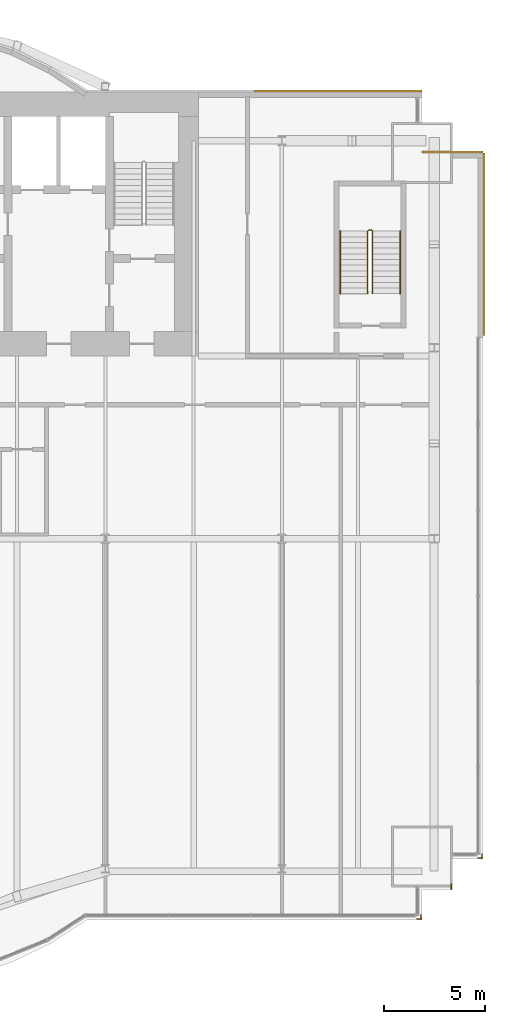
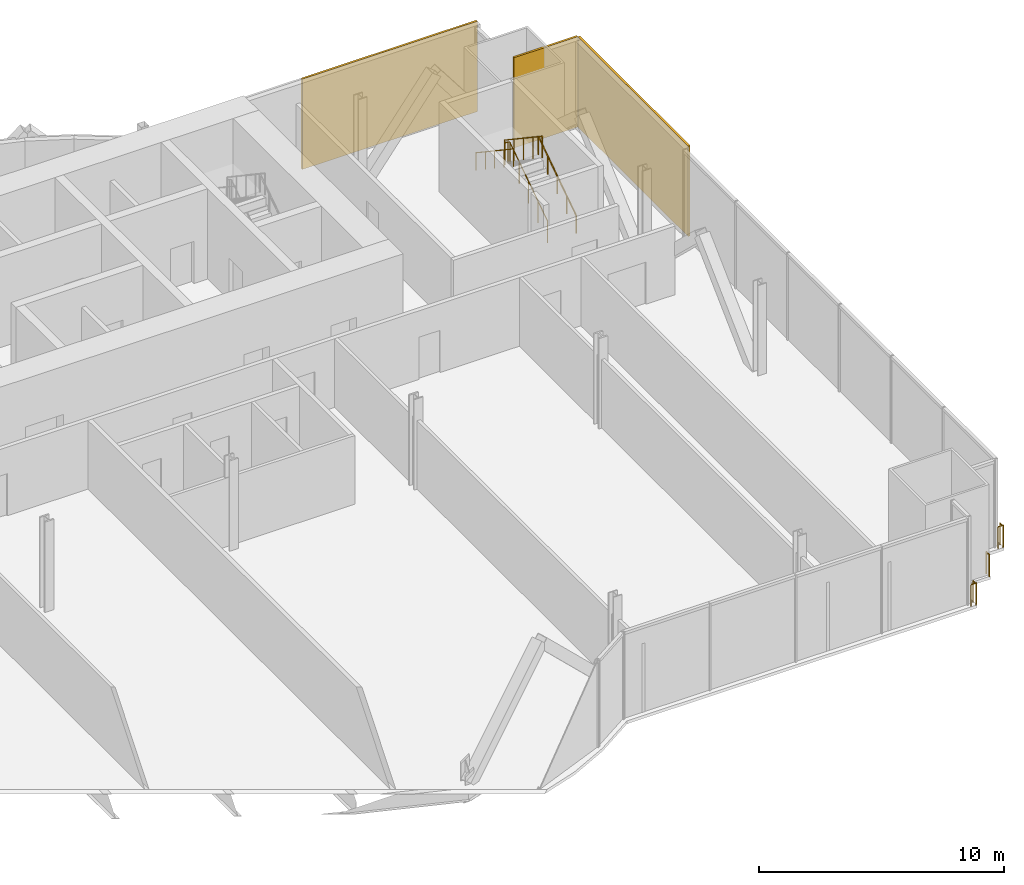
# One storey, part 21 of 21: 6 railings, 3 coverings.
"""IFC4 building model written with IfcOpenShell, lengths in metres."""

from ifc_helpers import new_model, si_unit, direction, frame, origin, origin_2d, place, context, subcontext, project, spatial, rectangle, circle, extrude, material, layer, layer_set, type_object, element, save


model = new_model("IFC4")

# Units and contexts
model_context = context("Model", 3, precision=1e-05, world=origin(), true_north=direction((0.0, 1.0)))
body_context = subcontext(model_context, "Body", "Model", "MODEL_VIEW")
ifc_project = project(units=[si_unit("LENGTHUNIT", "METRE"), si_unit("AREAUNIT", "SQUARE_METRE"), si_unit("VOLUMEUNIT", "CUBIC_METRE"), si_unit("PLANEANGLEUNIT", "RADIAN"), si_unit("MASSUNIT", "GRAM", prefix="KILO")], contexts=[model_context])

# Site, building, storey
site_placement = place(None, origin())
site = spatial("IfcSite", under=ifc_project, at=site_placement, CompositionType="ELEMENT")
building_placement = place(site_placement, origin())
building = spatial("IfcBuilding", under=site, at=building_placement, Name="Bicima Exchange Tower", CompositionType="ELEMENT")
storey_placement = place(building_placement, frame((0.0, 0.0, 57.5)))
storey = spatial("IfcBuildingStorey", under=building, at=storey_placement, Name="L11", CompositionType="ELEMENT", Elevation=57.5)

# Coverings
ifc_material_1 = material(Name="Bronze metal cladding")
ifc_layer_1 = layer(ifc_material_1, 0.004)
ifc_material_2 = material(Name="Ventilated cavity")
ifc_layer_2 = layer(ifc_material_2, 0.06)
ifc_material_3 = material(Name="Galvanised steel rail and mineral wool", Category="steel")
ifc_layer_3 = layer(ifc_material_3, 0.036)
ifc_layer_set = layer_set([ifc_layer_1, ifc_layer_2, ifc_layer_3], Name="Ventilated cavity")
covering_type = type_object("IfcCoveringType", Name="Bronze metal cladding panel 100", PredefinedType="CLADDING", material=ifc_layer_set)
covering_1_placement = place(storey_placement, frame((28.875, 0.050048828125, -0.14990234375), z_axis=(0.0, 0.0, 1.0), x_axis=(-1.0, 0.0, 0.0)))
element("IfcCovering", 1, at=covering_1_placement, inside=storey, type_object=covering_type, Name="Bronze cladding L11 1.1", PredefinedType="CLADDING", context=body_context, shape_type="SweptSolid", body=[
    extrude(rectangle(XDim=8.25, YDim=0.10009765625, at=origin_2d()), origin(), (0.0, 0.0, 1.0), 4.5),
])
covering_2_placement = place(storey_placement, frame((36.050048828125, -7.5, -0.14990234375), z_axis=(0.0, 0.0, 1.0), x_axis=(0.0, 1.0, 0.0)))
element("IfcCovering", 2, at=covering_2_placement, inside=storey, type_object=covering_type, Name="Bronze cladding L11 50.1", PredefinedType="CLADDING", context=body_context, shape_type="SweptSolid", body=[
    extrude(rectangle(XDim=9.0, YDim=0.10009765625, at=origin_2d()), origin(), (0.0, 0.0, 1.0), 4.5),
])
covering_3_placement = place(storey_placement, frame((34.5, -2.949951171875, -0.14990234375), z_axis=(0.0, 0.0, 1.0), x_axis=(-1.0, 0.0, 0.0)))
element("IfcCovering", 3, at=covering_3_placement, inside=storey, type_object=covering_type, Name="Bronze cladding L11 51.1", PredefinedType="CLADDING", context=body_context, shape_type="SweptSolid", body=[
    extrude(rectangle(XDim=3.0, YDim=0.10009765625, at=origin_2d()), origin(), (0.0, 0.0, 1.0), 4.5),
])

# Railings
ifc_material_4 = material(Name="Stainless steel and bonded safety glass", Category="steel")
railing_type_1 = type_object("IfcRailingType", Name="Edge guard 1100", PredefinedType="GUARDRAIL", material=ifc_material_4)
railing_1_placement = place(storey_placement, frame((35.949951171875, -37.531982421875, 0.0)))
element("IfcRailing", 4, at=railing_1_placement, inside=storey, type_object=railing_type_1, Name="Edge guard L11 46", PredefinedType="GUARDRAIL", context=body_context, shape_type="SweptSolid", body=[
    extrude(circle(Radius=0.02392578125, at=origin_2d()), frame((0.0, 0.0, 1.076171875), z_axis=(0.0, -1.0, 0.0), x_axis=(1.0, 0.0, 0.0)), (0.0, 0.0, 1.0), 0.248046875),
    extrude(circle(Radius=0.02392578125, at=origin_2d()), frame((0.0, -0.248046875, 1.076171875), z_axis=(0.707106781187, 0.707106781187, 0.0), x_axis=(-0.707106781187, 0.707106781187, 0.0)), (0.0, 0.0, 1.0), 0.07080078125),
    extrude(circle(Radius=0.02392578125, at=origin_2d()), frame((0.050048828125, -0.197998046875, 1.076171875), z_axis=(-1.0, 0.0, 0.0), x_axis=(0.0, -1.0, 0.0)), (0.0, 0.0, 1.0), 0.25),
    extrude(circle(Radius=0.02099609375, at=origin_2d()), origin(), (0.0, 0.0, 1.0), 1.052001953125),
    extrude(circle(Radius=0.02099609375, at=origin_2d()), frame((0.0, -0.248046875, 0.0)), (0.0, 0.0, 1.0), 1.052001953125),
    extrude(circle(Radius=0.02099609375, at=origin_2d()), frame((0.050048828125, -0.197998046875, 0.0)), (0.0, 0.0, 1.0), 1.052001953125),
    extrude(circle(Radius=0.02099609375, at=origin_2d()), frame((-0.199951171875, -0.197998046875, 0.0)), (0.0, 0.0, 1.0), 1.052001953125),
])
railing_2_placement = place(storey_placement, frame((34.449951171875, -39.030029296875, 0.0)))
element("IfcRailing", 5, at=railing_2_placement, inside=storey, type_object=railing_type_1, Name="Edge guard L11 47", PredefinedType="GUARDRAIL", context=body_context, shape_type="SweptSolid", body=[
    extrude(circle(Radius=0.02392578125, at=origin_2d()), frame((0.0, 0.0, 1.076171875), z_axis=(0.0, -1.0, 0.0), x_axis=(1.0, 0.0, 0.0)), (0.0, 0.0, 1.0), 0.25),
    extrude(circle(Radius=0.02099609375, at=origin_2d()), origin(), (0.0, 0.0, 1.0), 1.052001953125),
    extrude(circle(Radius=0.02099609375, at=origin_2d()), frame((0.0, -0.25, 0.0)), (0.0, 0.0, 1.0), 1.052001953125),
])
railing_3_placement = place(storey_placement, frame((32.949951171875, -40.530029296875, 0.0)))
element("IfcRailing", 6, at=railing_3_placement, inside=storey, type_object=railing_type_1, Name="Edge guard L11 48", PredefinedType="GUARDRAIL", context=body_context, shape_type="SweptSolid", body=[
    extrude(circle(Radius=0.02392578125, at=origin_2d()), frame((0.0, 0.0, 1.076171875), z_axis=(0.0, -1.0, 0.0), x_axis=(1.0, 0.0, 0.0)), (0.0, 0.0, 1.0), 0.25),
    extrude(circle(Radius=0.02392578125, at=origin_2d()), frame((0.0, -0.25, 1.076171875), z_axis=(0.707106781187, 0.707106781187, 0.0), x_axis=(-0.707106781187, 0.707106781187, 0.0)), (0.0, 0.0, 1.0), 0.07080078125),
    extrude(circle(Radius=0.02392578125, at=origin_2d()), frame((0.050048828125, -0.199951171875, 1.076171875), z_axis=(-1.0, 0.0, 0.0), x_axis=(0.0, -1.0, 0.0)), (0.0, 0.0, 1.0), 0.25),
    extrude(circle(Radius=0.02099609375, at=origin_2d()), origin(), (0.0, 0.0, 1.0), 1.052001953125),
    extrude(circle(Radius=0.02099609375, at=origin_2d()), frame((0.0, -0.25, 0.0)), (0.0, 0.0, 1.0), 1.052001953125),
    extrude(circle(Radius=0.02099609375, at=origin_2d()), frame((0.050048828125, -0.199951171875, 0.0)), (0.0, 0.0, 1.0), 1.052001953125),
    extrude(circle(Radius=0.02099609375, at=origin_2d()), frame((-0.199951171875, -0.199951171875, 0.0)), (0.0, 0.0, 1.0), 1.052001953125),
])
ifc_material_5 = material(Name="Stainless steel", Category="steel")
railing_type_2 = type_object("IfcRailingType", Name="Stair guard 1100", PredefinedType="GUARDRAIL", material=ifc_material_5)
railing_4_placement = place(storey_placement, frame((30.574951171875, -9.925048828125, 0.1875)))
element("IfcRailing", 7, at=railing_4_placement, inside=storey, type_object=railing_type_2, Name="L11 ST-EE stair guard 1", PredefinedType="GUARDRAIL", context=body_context, shape_type="SweptSolid", body=[
    extrude(circle(Radius=0.02392578125, at=origin_2d()), frame((0.0, 0.0, 1.076171875), z_axis=(0.0, 0.830913701846, 0.55640131208), x_axis=(-1.0, 0.0, 0.0)), (0.0, 0.0, 1.0), 3.706787109375),
    extrude(circle(Radius=0.02392578125, at=origin_2d()), frame((0.0, 3.080078125, 3.138671875), z_axis=(-0.707106781187, 0.707106781187, 0.0), x_axis=(-0.707106781187, -0.707106781187, 0.0)), (0.0, 0.0, 1.0), 0.07080078125),
    extrude(circle(Radius=0.02392578125, at=origin_2d()), frame((-0.050048828125, 3.130126953125, 3.138671875), z_axis=(-1.0, 0.0, 0.0), x_axis=(0.0, -1.0, 0.0)), (0.0, 0.0, 1.0), 0.14990234375),
    extrude(circle(Radius=0.02392578125, at=origin_2d()), frame((-0.199951171875, 3.130126953125, 3.138671875), z_axis=(-0.249726431254, -0.249726431254, 0.935560483917), x_axis=(0.707106781187, -0.707106781187, 0.0)), (0.0, 0.0, 1.0), 0.200439453125),
    extrude(circle(Radius=0.02392578125, at=origin_2d()), frame((-0.25, 3.080078125, 3.326171875), z_axis=(0.0, -0.830913701846, 0.55640131208), x_axis=(1.0, 0.0, 0.0)), (0.0, 0.0, 1.0), 3.706787109375),
    extrude(circle(Radius=0.02099609375, at=origin_2d()), origin(), (0.0, 0.0, 1.0), 1.052001953125),
    extrude(circle(Radius=0.02099609375, at=origin_2d()), frame((0.0, 0.77001953125, 0.515625)), (0.0, 0.0, 1.0), 1.052001953125),
    extrude(circle(Radius=0.02099609375, at=origin_2d()), frame((0.0, 1.5400390625, 1.03125)), (0.0, 0.0, 1.0), 1.052001953125),
    extrude(circle(Radius=0.02099609375, at=origin_2d()), frame((0.0, 2.31005859375, 1.546875)), (0.0, 0.0, 1.0), 1.052001953125),
    extrude(circle(Radius=0.02099609375, at=origin_2d()), frame((0.0, 3.080078125, 2.0625)), (0.0, 0.0, 1.0), 1.052001953125),
    extrude(circle(Radius=0.02099609375, at=origin_2d()), frame((-0.050048828125, 3.130126953125, 2.0625)), (0.0, 0.0, 1.0), 1.052001953125),
    extrude(circle(Radius=0.02099609375, at=origin_2d()), frame((-0.199951171875, 3.130126953125, 2.0625)), (0.0, 0.0, 1.0), 1.052001953125),
    extrude(circle(Radius=0.02099609375, at=origin_2d()), frame((-0.25, 3.080078125, 2.25)), (0.0, 0.0, 1.0), 1.052001953125),
    extrude(circle(Radius=0.02099609375, at=origin_2d()), frame((-0.25, 2.31005859375, 2.765625)), (0.0, 0.0, 1.0), 1.052001953125),
    extrude(circle(Radius=0.02099609375, at=origin_2d()), frame((-0.25, 1.5400390625, 3.28125)), (0.0, 0.0, 1.0), 1.052001953125),
    extrude(circle(Radius=0.02099609375, at=origin_2d()), frame((-0.25, 0.77001953125, 3.796875)), (0.0, 0.0, 1.0), 1.052001953125),
    extrude(circle(Radius=0.02099609375, at=origin_2d()), frame((-0.25, 0.0, 4.3125)), (0.0, 0.0, 1.0), 1.052001953125),
])
railing_type_3 = type_object("IfcRailingType", Name="Stair handrail 900", PredefinedType="HANDRAIL", material=ifc_material_5)
railing_5_placement = place(storey_placement, frame((31.925048828125, -9.925048828125, 0.1875)))
element("IfcRailing", 8, at=railing_5_placement, inside=storey, type_object=railing_type_3, Name="L11 ST-EE stair handrail 1", PredefinedType="HANDRAIL", context=body_context, shape_type="SweptSolid", body=[
    extrude(circle(Radius=0.02392578125, at=origin_2d()), frame((0.0, 0.0, 0.8759765625), z_axis=(0.0, 0.830913701846, 0.55640131208), x_axis=(-1.0, 0.0, 0.0)), (0.0, 0.0, 1.0), 3.706787109375),
    extrude(circle(Radius=0.02099609375, at=origin_2d()), origin(), (0.0, 0.0, 1.0), 0.851806640625),
    extrude(circle(Radius=0.02099609375, at=origin_2d()), frame((0.0, 0.77001953125, 0.515625)), (0.0, 0.0, 1.0), 0.851806640625),
    extrude(circle(Radius=0.02099609375, at=origin_2d()), frame((0.0, 1.5400390625, 1.03125)), (0.0, 0.0, 1.0), 0.851806640625),
    extrude(circle(Radius=0.02099609375, at=origin_2d()), frame((0.0, 2.31005859375, 1.546875)), (0.0, 0.0, 1.0), 0.851806640625),
    extrude(circle(Radius=0.02099609375, at=origin_2d()), frame((0.0, 3.080078125, 2.0625)), (0.0, 0.0, 1.0), 0.851806640625),
])
railing_6_placement = place(storey_placement, frame((28.97509765625, -6.844970703125, 2.47900390625)))
element("IfcRailing", 9, at=railing_6_placement, inside=storey, type_object=railing_type_3, Name="L11 ST-EE stair handrail 2", PredefinedType="HANDRAIL", context=body_context, shape_type="SweptSolid", body=[
    extrude(circle(Radius=0.02392578125, at=origin_2d()), frame((0.0, 0.0, 0.8759765625), z_axis=(0.0, -0.830913701846, 0.55640131208), x_axis=(1.0, 0.0, 0.0)), (0.0, 0.0, 1.0), 3.706787109375),
    extrude(circle(Radius=0.02099609375, at=origin_2d()), origin(), (0.0, 0.0, 1.0), 0.851806640625),
    extrude(circle(Radius=0.02099609375, at=origin_2d()), frame((0.0, -0.77001953125, 0.515625)), (0.0, 0.0, 1.0), 0.851806640625),
    extrude(circle(Radius=0.02099609375, at=origin_2d()), frame((0.0, -1.5400390625, 1.03125)), (0.0, 0.0, 1.0), 0.851806640625),
    extrude(circle(Radius=0.02099609375, at=origin_2d()), frame((0.0, -2.31005859375, 1.546875)), (0.0, 0.0, 1.0), 0.851806640625),
    extrude(circle(Radius=0.02099609375, at=origin_2d()), frame((0.0, -3.080078125, 2.0625)), (0.0, 0.0, 1.0), 0.851806640625),
])

save(model, "model.ifc")
